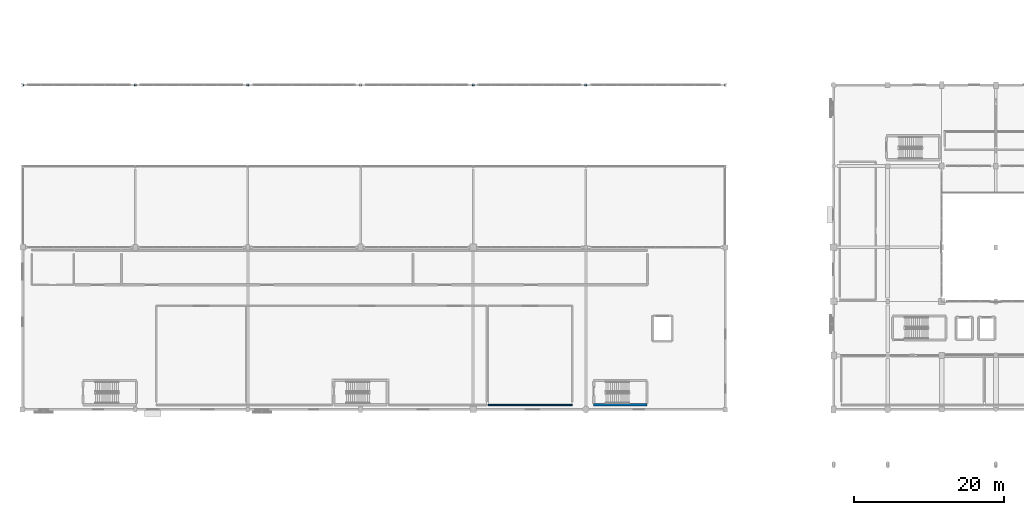
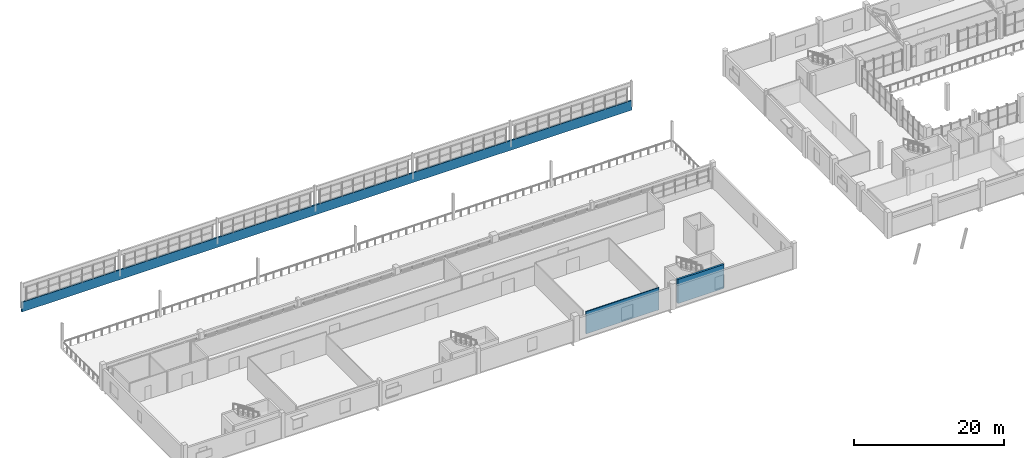
# One storey, part 65 of 92: 3 walls.
"""IFC4 building model written with IfcOpenShell, lengths in metres."""

import ifcopenshell
import ifcopenshell.guid

model = None  # the IFC model being written
_history = None  # IfcOwnerHistory: only IFC2X3 demands one
_inside = {}  # id of a spatial element -> (the spatial element, [elements in it])
_under = {}  # id of a project, library or spatial element -> (it, [spatial elements below it])
_declared = {}  # id of a project -> (the project, [libraries it declares])
_typed = {}  # id of a type object -> (the type object, [elements of that type])
_made_of = {}  # id of a material, layer set ... -> (it, [elements and type objects made of it])


def new_model(schema):
    """Start an empty IFC model of exactly this schema.

    Asked for "IFC4X3", IfcOpenShell would pick the latest addendum, in which some entities
    have other attributes; the version numbers below select the first issue.
    IFC2X3 requires an IfcOwnerHistory on every rooted entity: one is made here for all.
    """
    global model, _history
    if schema == "IFC4X3":
        model = ifcopenshell.file(schema_version=(4, 3, 0, 0))
    else:
        model = ifcopenshell.file(schema=schema)
    _inside.clear()
    _under.clear()
    _declared.clear()
    _typed.clear()
    _made_of.clear()
    _history = None
    if model.schema == "IFC2X3":
        org = make("IfcOrganization", Name="unknown")
        user = make(
            "IfcPersonAndOrganization",
            ThePerson=make("IfcPerson", FamilyName="unknown"),
            TheOrganization=org,
        )
        app = make(
            "IfcApplication",
            ApplicationDeveloper=org,
            Version="unknown",
            ApplicationFullName="unknown",
            ApplicationIdentifier="unknown",
        )
        _history = make(
            "IfcOwnerHistory",
            OwningUser=user,
            OwningApplication=app,
            ChangeAction="ADDED",
            CreationDate=0,
        )
    return model


def make(cls, **values):
    """One entity of the class cls with the attributes given. An attribute that is None is left unset."""
    return model.create_entity(
        cls, **{name: value for name, value in values.items() if value is not None}
    )


def rooted(cls, **values):
    """An entity with a GlobalId (a new one), such as an element, a storey or a relation."""
    return make(cls, GlobalId=ifcopenshell.guid.new(), OwnerHistory=_history, **values)


def si_unit(unit_type, name, prefix=None):
    """IfcSIUnit, for example si_unit("LENGTHUNIT", "METRE", prefix="MILLI")."""
    return make("IfcSIUnit", UnitType=unit_type, Prefix=prefix, Name=name)


def assignment(units):
    """IfcUnitAssignment: the units of a project."""
    return None if units is None else make("IfcUnitAssignment", Units=units)


def point(xyz):
    """IfcCartesianPoint."""
    return None if xyz is None else make("IfcCartesianPoint", Coordinates=xyz)


def direction(xyz):
    """IfcDirection."""
    return None if xyz is None else make("IfcDirection", DirectionRatios=xyz)


def frame(location, z_axis=None, x_axis=None):
    """IfcAxis2Placement3D, a coordinate frame: its origin and axes. An axis left out is left unset."""
    return make(
        "IfcAxis2Placement3D",
        Location=point(location),
        Axis=direction(z_axis),
        RefDirection=direction(x_axis),
    )


def frame_2d(location, x_axis=None):
    """IfcAxis2Placement2D, a coordinate frame in the plane: its origin and x axis."""
    return make(
        "IfcAxis2Placement2D", Location=point(location), RefDirection=direction(x_axis)
    )


def origin():
    """The frame at (0, 0, 0) with its axes left unset."""
    return frame((0.0, 0.0, 0.0))


def place(relative_to, where):
    """IfcLocalPlacement: puts the frame where relative to a parent placement (None: the world)."""
    return make(
        "IfcLocalPlacement", PlacementRelTo=relative_to, RelativePlacement=where
    )


def context(
    kind, dimensions, precision=None, world=None, true_north=None, identifier=None
):
    """IfcGeometricRepresentationContext, for example the 3D "Model" context."""
    return make(
        "IfcGeometricRepresentationContext",
        ContextIdentifier=identifier,
        ContextType=kind,
        CoordinateSpaceDimension=dimensions,
        Precision=precision,
        WorldCoordinateSystem=world,
        TrueNorth=true_north,
    )


def subcontext(parent, identifier, kind, view, scale=None):
    """IfcGeometricRepresentationSubContext, for example "Body" below "Model"."""
    return make(
        "IfcGeometricRepresentationSubContext",
        ContextIdentifier=identifier,
        ContextType=kind,
        ParentContext=parent,
        TargetScale=scale,
        TargetView=view,
    )


def project(units=None, contexts=None):
    """IfcProject with its units and contexts."""
    return rooted(
        "IfcProject",
        Name="project",
        RepresentationContexts=contexts,
        UnitsInContext=assignment(units),
    )


def spatial(cls, under=None, at=None, **own):
    """A site, building, storey or space (cls), placed at a placement, below another one or the project."""
    s = rooted(cls, ObjectPlacement=at, **own)
    if under is not None:
        _under.setdefault(under.id(), (under, []))[1].append(s)
    return s


def profile(cls, at=None, kind="AREA", **sizes):
    """A parametric profile (cls). Its sizes go by their IFC names, for example OverallWidth=200.0."""
    return make(cls, ProfileType=kind, Position=at, **sizes)


def rectangle(**sizes):
    """IfcRectangleProfileDef."""
    return profile("IfcRectangleProfileDef", **sizes)


def extrude(swept, where, along, depth):
    """IfcExtrudedAreaSolid: the profile swept, set in the frame where, extruded along a direction by depth."""
    return make(
        "IfcExtrudedAreaSolid",
        SweptArea=swept,
        Position=where,
        ExtrudedDirection=direction(along),
        Depth=depth,
    )


def shape(context_of_items, identifier, shape_type, items):
    """IfcShapeRepresentation: the items that make up one representation, for example the "Body"."""
    return make(
        "IfcShapeRepresentation",
        ContextOfItems=context_of_items,
        RepresentationIdentifier=identifier,
        RepresentationType=shape_type,
        Items=items,
    )


def material(Name=None, Category=None):
    """IfcMaterial."""
    return make("IfcMaterial", Name=Name, Category=Category)


def layer(
    of_material, thickness, ventilated=None, Name=None, Category=None, Priority=None
):
    """IfcMaterialLayer: one layer of a wall or slab, of a material (None: an air gap)."""
    return make(
        "IfcMaterialLayer",
        Material=of_material,
        LayerThickness=thickness,
        IsVentilated=ventilated,
        Name=Name,
        Category=Category,
        Priority=Priority,
    )


def layer_set(layers, Name=None):
    """IfcMaterialLayerSet."""
    return make("IfcMaterialLayerSet", MaterialLayers=layers, LayerSetName=Name)


def made_of(thing, what):
    """Note that an element or type object is made of a material, layer set ...; save() writes the relation."""
    if what is not None:
        _made_of.setdefault(what.id(), (what, []))[1].append(thing)
    return thing


def type_object(cls, material=None, **own):
    """A type object (cls), such as IfcWallType, which elements share."""
    return made_of(rooted(cls, **own), material)


def element(
    cls,
    number,
    at=None,
    inside=None,
    cuts=None,
    type_object=None,
    material=None,
    context=None,
    identifier="Body",
    shape_type=None,
    held_by="IfcProductDefinitionShape",
    body=None,
    shapes=None,
    **own,
):
    """One element of the class cls, such as IfcWall. Its Tag is "e" and its number.

    at: its placement. inside: the storey or other place that contains it. cuts: it is an
    opening in that element (IfcRelVoidsElement). A single representation is given by context,
    identifier, shape_type and body (its items); several are given by shapes. held_by: the class
    of the entity that holds the representations. save() writes the other relations.
    """
    e = rooted(cls, Tag="e%d" % number, ObjectPlacement=at, **own)
    if body is not None:
        shapes = [shape(context, identifier, shape_type, body)]
    if shapes is not None:
        e.Representation = make(held_by, Representations=shapes)
    if inside is not None:
        _inside.setdefault(inside.id(), (inside, []))[1].append(e)
    if cuts is not None:
        rooted(
            "IfcRelVoidsElement", RelatingBuildingElement=cuts, RelatedOpeningElement=e
        )
    if type_object is not None:
        _typed.setdefault(type_object.id(), (type_object, []))[1].append(e)
    return made_of(e, material)


def aggregate(whole, parts):
    """IfcRelAggregates: a whole, such as a stair, and the parts it consists of."""
    return rooted("IfcRelAggregates", RelatingObject=whole, RelatedObjects=parts)


def save(model, path):
    """Write the relations noted so far, then the file.

    IfcRelAggregates (storeys below a building ...), IfcRelContainedInSpatialStructure (elements
    in a storey), IfcRelDefinesByType, IfcRelAssociatesMaterial and IfcRelDeclares: one each for
    every whole, place, type object, material and project.
    """
    for whole, parts in _under.values():
        aggregate(whole, parts)
    for where, things in _inside.values():
        rooted(
            "IfcRelContainedInSpatialStructure",
            RelatedElements=things,
            RelatingStructure=where,
        )
    for kind, things in _typed.values():
        rooted("IfcRelDefinesByType", RelatedObjects=things, RelatingType=kind)
    for what, things in _made_of.values():
        rooted("IfcRelAssociatesMaterial", RelatedObjects=things, RelatingMaterial=what)
    for by, libraries in _declared.values():
        rooted("IfcRelDeclares", RelatingContext=by, RelatedDefinitions=libraries)
    model.write(path)


model = new_model("IFC4")

# Units and contexts
model_context = context("Model", 3, precision=1e-05, world=origin(), true_north=direction((0.0, 1.0)))
body_context = subcontext(model_context, "Body", "Model", "MODEL_VIEW")
ifc_project = project(units=[si_unit("LENGTHUNIT", "METRE"), si_unit("AREAUNIT", "SQUARE_METRE"), si_unit("VOLUMEUNIT", "CUBIC_METRE"), si_unit("PLANEANGLEUNIT", "RADIAN"), si_unit("MASSUNIT", "GRAM", prefix="KILO")], contexts=[model_context])

# Site, building, storey
site_placement = place(None, origin())
site = spatial("IfcSite", under=ifc_project, at=site_placement, CompositionType="ELEMENT")
building_placement = place(site_placement, origin())
building = spatial("IfcBuilding", under=site, at=building_placement, Name="Solanera Park Tramway Depot", CompositionType="ELEMENT")
storey_placement = place(building_placement, frame((0.0, 0.0, 4.800048828125)))
storey = spatial("IfcBuildingStorey", under=building, at=storey_placement, Name="L01", CompositionType="ELEMENT", Elevation=4.800048828125)

# Walls
ifc_material_1 = material(Name="Concrete N32 (C32/40)", Category="concrete")
ifc_layer_1 = layer(ifc_material_1, 0.14990234375)
ifc_layer_set_1 = layer_set([ifc_layer_1], Name="Concrete N32 (C32/40)")
wall_type_1 = type_object("IfcWallType", Name="Acoustic Partition 150", PredefinedType="PARTITIONING", material=ifc_layer_set_1)
wall_1_placement = place(storey_placement, frame((73.199951171875, 11.39990234375, 0.0), z_axis=(0.0, 0.0, 1.0), x_axis=(-1.0, 0.0, 0.0)))
element("IfcWall", 1, at=wall_1_placement, inside=storey, type_object=wall_type_1, Name="Precision Metrology and Calibration Lab Dividing Wall", PredefinedType="PARTITIONING", context=body_context, shape_type="SweptSolid", body=[
    extrude(rectangle(XDim=11.199951171875, YDim=0.14990234375, at=frame_2d((5.60009765625, 0.0))), origin(), (0.0, 0.0, 1.0), 3.599853515625),
])
ifc_material_2 = material(Name="Concrete N40 (C40/50)", Category="concrete")
ifc_layer_2 = layer(ifc_material_2, 0.300048828125)
ifc_layer_set_2 = layer_set([ifc_layer_2], Name="Concrete N40 (C40/50)")
wall_type_2 = type_object("IfcWallType", Name="Core Shear Wall 300", PredefinedType="SHEAR", material=ifc_layer_set_2)
wall_2_placement = place(storey_placement, frame((76.050048828125, 11.449951171875, 0.0), z_axis=(0.0, 0.0, 1.0), x_axis=(1.0, 0.0, 0.0)))
element("IfcWall", 2, at=wall_2_placement, inside=storey, type_object=wall_type_2, Name="ST-09 L01 Shear Core Wall S", PredefinedType="SHEAR", context=body_context, shape_type="SweptSolid", body=[
    extrude(rectangle(XDim=7.099853515625, YDim=0.300048828125, at=frame_2d((3.5498046875, 0.0))), origin(), (0.0, 0.0, 1.0), 3.89990234375),
])
ifc_material_3 = material(Name="Concrete N32 (C32/40)", Category="concrete")
ifc_layer_3 = layer(ifc_material_3, 0.219970703125)
ifc_layer_set_3 = layer_set([ifc_layer_3], Name="Concrete N32 (C32/40)")
wall_type_3 = type_object("IfcWallType", Name="Ext Spandrel Wall 220", PredefinedType="SOLIDWALL", material=ifc_layer_set_3)
wall_3_placement = place(storey_placement, frame((93.60009765625, 54.0, -0.56005859375), z_axis=(0.0, 0.0, 1.0), x_axis=(-1.0, 0.0, 0.0)))
element("IfcWall", 3, at=wall_3_placement, inside=storey, type_object=wall_type_3, Name="L01 Workshop Clerestory Spandrel Wall EW-L01-V2N-SP", PredefinedType="SOLIDWALL", context=body_context, shape_type="SweptSolid", body=[
    extrude(rectangle(XDim=93.60009765625, YDim=0.219970703125, at=frame_2d((46.800048828125, 0.0))), origin(), (0.0, 0.0, 1.0), 1.570068359375),
])

save(model, "model.ifc")
